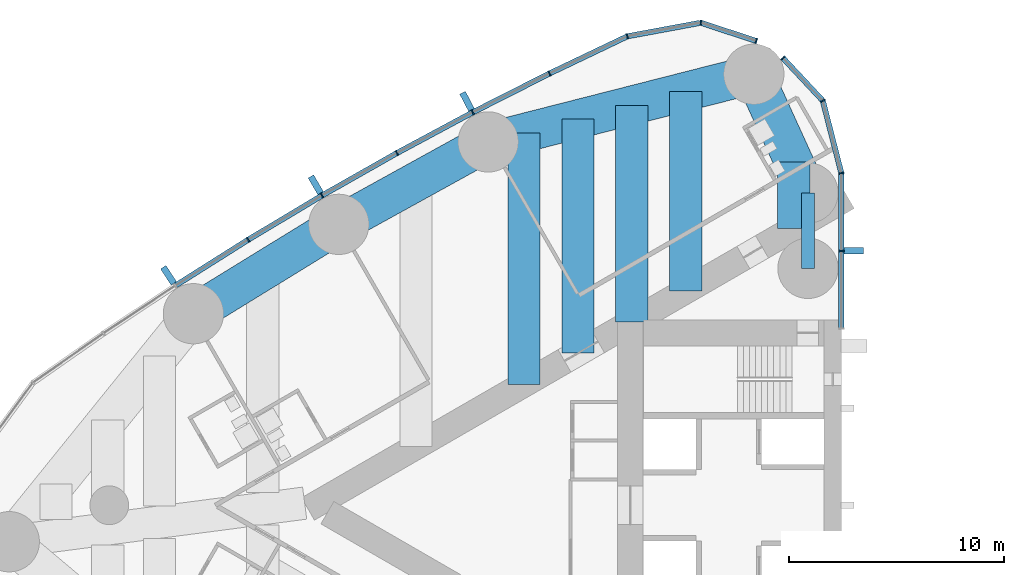
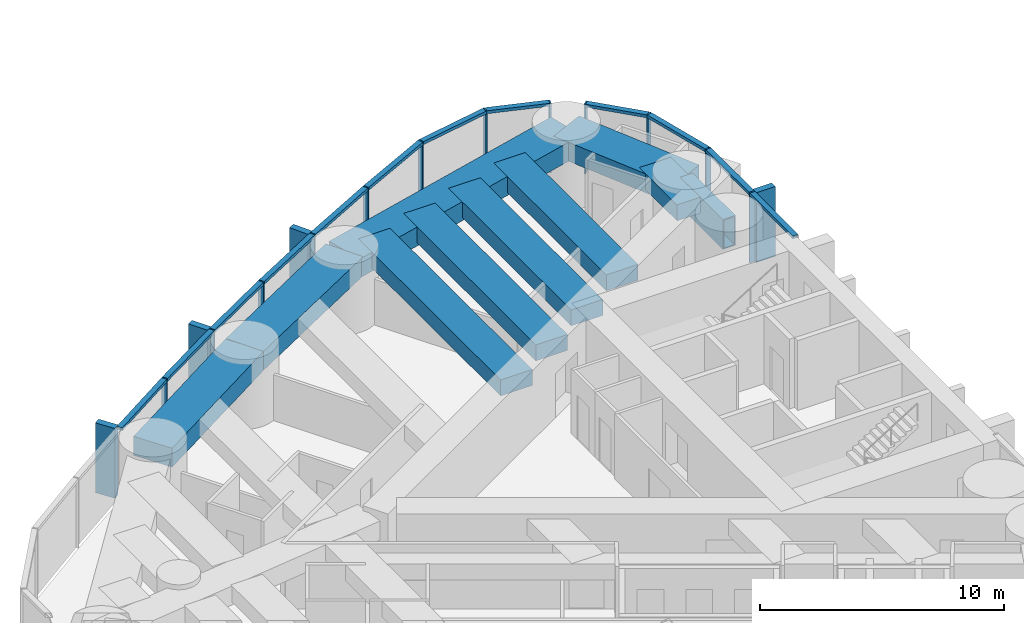
# One storey, part 5 of 19: 28 members, 10 beams, 2 elements without a shape of their own.
"""IFC4 building model written with IfcOpenShell, lengths in metres."""

from ifc_helpers import new_model, si_unit, direction, frame, origin, origin_2d, place, context, subcontext, project, spatial, rectangle, hollow_rectangle, extrude, material, material_profile, profile_set, type_object, element, aggregate, save


model = new_model("IFC4")

# Units and contexts
model_context = context("Model", 3, precision=1e-05, world=origin(), true_north=direction((0.0, 1.0)))
body_context = subcontext(model_context, "Body", "Model", "MODEL_VIEW")
ifc_project = project(units=[si_unit("LENGTHUNIT", "METRE"), si_unit("AREAUNIT", "SQUARE_METRE"), si_unit("VOLUMEUNIT", "CUBIC_METRE"), si_unit("PLANEANGLEUNIT", "RADIAN"), si_unit("MASSUNIT", "GRAM", prefix="KILO")], contexts=[model_context])

# Site, building, storey
site_placement = place(None, origin())
site = spatial("IfcSite", under=ifc_project, at=site_placement, CompositionType="ELEMENT")
building_placement = place(site_placement, origin())
building = spatial("IfcBuilding", under=site, at=building_placement, Name="Lancet Gate Hotel", CompositionType="ELEMENT")
storey_placement = place(building_placement, frame((0.0, 0.0, 159.800048828125)))
storey = spatial("IfcBuildingStorey", under=building, at=storey_placement, Name="L42", CompositionType="ELEMENT", Elevation=159.800048828125)

# Curtain wall, members
ifc_material_1 = material(Name="Aluminium curtain wall", Category="aluminium")
curtain_wall_type = type_object("IfcCurtainWallType", Name="Tower unitised curtain wall", PredefinedType="USERDEFINED", material=ifc_material_1)
curtain_wall_1_placement = place(storey_placement, origin())
curtain_wall_1 = element("IfcCurtainWall", 1, at=curtain_wall_1_placement, inside=storey, type_object=curtain_wall_type, Name="T1 L42 curtain wall 1", ObjectType="UNITISED CURTAIN WALL", PredefinedType="USERDEFINED")
ifc_material_2 = material(Name="Aluminium mullion", Category="aluminium")
ifc_material_profile_1 = material_profile(ifc_material_2, rectangle(XDim=0.06494140625, YDim=0.25, at=origin_2d()), Name="MULLION 65x250")
ifc_profile_set_1 = profile_set([ifc_material_profile_1], Name="Aluminium mullion")
member_type_1 = type_object("IfcMemberType", Name="Aluminium mullion 65x250", PredefinedType="MULLION", material=ifc_profile_set_1)
member_1_placement = place(storey_placement, frame((-27.5, 11.811767578125, 0.0), z_axis=(0.0, 0.0, 1.0), x_axis=(0.0, 1.0, 0.0)))
member_1 = element("IfcMember", 2, at=member_1_placement, type_object=member_type_1, Name="T1 L42 curtain wall 1 mullion 2", PredefinedType="MULLION", context=body_context, shape_type="SweptSolid", body=[
    extrude(rectangle(XDim=0.06494140625, YDim=0.25, at=origin_2d()), origin(), (0.0, 0.0, 1.0), 3.5),
])
member_2_placement = place(storey_placement, frame((-27.5, 15.42333984375, 0.0), z_axis=(0.0, 0.0, 1.0), x_axis=(-0.122467472845, 0.992472527627, 0.0)))
member_2 = element("IfcMember", 3, at=member_2_placement, type_object=member_type_1, Name="T1 L42 curtain wall 1 mullion 3", PredefinedType="MULLION", context=body_context, shape_type="SweptSolid", body=[
    extrude(rectangle(XDim=0.06494140625, YDim=0.25, at=origin_2d()), origin(), (0.0, 0.0, 1.0), 3.5),
])
member_3_placement = place(storey_placement, frame((-28.360595703125, 18.7861328125, 0.0), z_axis=(0.0, 0.0, 1.0), x_axis=(-0.452507601198, 0.891760545695, 0.0)))
member_3 = element("IfcMember", 4, at=member_3_placement, type_object=member_type_1, Name="T1 L42 curtain wall 1 mullion 4", PredefinedType="MULLION", context=body_context, shape_type="SweptSolid", body=[
    extrude(rectangle(XDim=0.06494140625, YDim=0.25, at=origin_2d()), origin(), (0.0, 0.0, 1.0), 3.5),
])
member_4_placement = place(storey_placement, frame((-30.210693359375, 20.765625, 0.0), z_axis=(0.0, 0.0, 1.0), x_axis=(-0.682844962172, 0.730563315282, 0.0)))
member_4 = element("IfcMember", 5, at=member_4_placement, type_object=member_type_1, Name="T1 L42 curtain wall 1 mullion 5", PredefinedType="MULLION", context=body_context, shape_type="SweptSolid", body=[
    extrude(rectangle(XDim=0.06494140625, YDim=0.25, at=origin_2d()), origin(), (0.0, 0.0, 1.0), 3.5),
])

curtain_wall_2_placement = place(storey_placement, origin())
curtain_wall_2 = element("IfcCurtainWall", 6, at=curtain_wall_2_placement, inside=storey, type_object=curtain_wall_type, Name="T1 L42 curtain wall 2", ObjectType="UNITISED CURTAIN WALL", PredefinedType="USERDEFINED")
member_5_placement = place(storey_placement, frame((-31.45263671875, 21.5595703125, 0.0), z_axis=(0.0, 0.0, 1.0), x_axis=(-0.949848055084, 0.312711803827, 0.0)))
member_5 = element("IfcMember", 7, at=member_5_placement, type_object=member_type_1, Name="T1 L42 curtain wall 2 mullion 1", PredefinedType="MULLION", context=body_context, shape_type="SweptSolid", body=[
    extrude(rectangle(XDim=0.06494140625, YDim=0.25, at=origin_2d()), origin(), (0.0, 0.0, 1.0), 3.5),
])
member_6_placement = place(storey_placement, frame((-34.02783203125, 22.407470703125, 0.0), z_axis=(0.0, 0.0, 1.0), x_axis=(-0.999350473622, 0.036036521361, 0.0)))
member_6 = element("IfcMember", 8, at=member_6_placement, type_object=member_type_1, Name="T1 L42 curtain wall 2 mullion 2", PredefinedType="MULLION", context=body_context, shape_type="SweptSolid", body=[
    extrude(rectangle(XDim=0.06494140625, YDim=0.25, at=origin_2d()), origin(), (0.0, 0.0, 1.0), 3.5),
])
member_7_placement = place(storey_placement, frame((-37.44091796875, 21.775634765625, 0.0), z_axis=(0.0, 0.0, 1.0), x_axis=(-0.948119321052, -0.317914694609, 0.0)))
member_7 = element("IfcMember", 9, at=member_7_placement, type_object=member_type_1, Name="T1 L42 curtain wall 2 mullion 3", PredefinedType="MULLION", context=body_context, shape_type="SweptSolid", body=[
    extrude(rectangle(XDim=0.06494140625, YDim=0.25, at=origin_2d()), origin(), (0.0, 0.0, 1.0), 3.5),
])
member_8_placement = place(storey_placement, frame((-41.0498046875, 20.052978515625, 0.0), z_axis=(0.0, 0.0, 1.0), x_axis=(-0.897324392142, -0.441371652088, 0.0)))
member_8 = element("IfcMember", 10, at=member_8_placement, type_object=member_type_1, Name="T1 L42 curtain wall 2 mullion 4", PredefinedType="MULLION", context=body_context, shape_type="SweptSolid", body=[
    extrude(rectangle(XDim=0.06494140625, YDim=0.25, at=origin_2d()), origin(), (0.0, 0.0, 1.0), 3.5),
])
member_9_placement = place(storey_placement, frame((-44.6171875, 18.245849609375, 0.0), z_axis=(0.0, 0.0, 1.0), x_axis=(-0.886694440064, -0.462355891019, 0.0)))
member_9 = element("IfcMember", 11, at=member_9_placement, type_object=member_type_1, Name="T1 L42 curtain wall 2 mullion 5", PredefinedType="MULLION", context=body_context, shape_type="SweptSolid", body=[
    extrude(rectangle(XDim=0.06494140625, YDim=0.25, at=origin_2d()), origin(), (0.0, 0.0, 1.0), 3.5),
])
member_10_placement = place(storey_placement, frame((-48.140869140625, 16.355224609375, 0.0), z_axis=(0.0, 0.0, 1.0), x_axis=(-0.87557384965, -0.483084292654, 0.0)))
member_10 = element("IfcMember", 12, at=member_10_placement, type_object=member_type_1, Name="T1 L42 curtain wall 2 mullion 6", PredefinedType="MULLION", context=body_context, shape_type="SweptSolid", body=[
    extrude(rectangle(XDim=0.06494140625, YDim=0.25, at=origin_2d()), origin(), (0.0, 0.0, 1.0), 3.5),
])
member_11_placement = place(storey_placement, frame((-51.619384765625, 14.38232421875, 0.0), z_axis=(0.0, 0.0, 1.0), x_axis=(-0.863968774311, -0.503545387245, 0.0)))
member_11 = element("IfcMember", 13, at=member_11_placement, type_object=member_type_1, Name="T1 L42 curtain wall 2 mullion 7", PredefinedType="MULLION", context=body_context, shape_type="SweptSolid", body=[
    extrude(rectangle(XDim=0.06494140625, YDim=0.25, at=origin_2d()), origin(), (0.0, 0.0, 1.0), 3.5),
])
member_12_placement = place(storey_placement, frame((-55.05029296875, 12.328369140625, 0.0), z_axis=(0.0, 0.0, 1.0), x_axis=(-0.851885635531, -0.52372785297, 0.0)))
member_12 = element("IfcMember", 14, at=member_12_placement, type_object=member_type_1, Name="T1 L42 curtain wall 2 mullion 8", PredefinedType="MULLION", context=body_context, shape_type="SweptSolid", body=[
    extrude(rectangle(XDim=0.06494140625, YDim=0.25, at=origin_2d()), origin(), (0.0, 0.0, 1.0), 3.5),
])

# Member
ifc_material_3 = material(Name="Aluminium transom", Category="aluminium")
ifc_material_profile_2 = material_profile(ifc_material_3, rectangle(XDim=0.25, YDim=0.14990234375, at=origin_2d()), Name="TRANSOM 250x150")
ifc_profile_set_2 = profile_set([ifc_material_profile_2], Name="Aluminium transom")
member_type_2 = type_object("IfcMemberType", Name="Aluminium transom 250x150", PredefinedType="USERDEFINED", material=ifc_profile_set_2)
member_13_placement = place(storey_placement, frame((-27.5, 8.232421875, 3.425048828125), z_axis=(0.0, 1.0, 0.0), x_axis=(-1.0, 0.0, 0.0)))
member_13 = element("IfcMember", 15, at=member_13_placement, type_object=member_type_2, Name="T1 L42 curtain wall 1 transom 1", ObjectType="TRANSOM", PredefinedType="USERDEFINED", context=body_context, shape_type="SweptSolid", body=[
    extrude(rectangle(XDim=0.25, YDim=0.14990234375, at=origin_2d()), origin(), (0.0, 0.0, 1.0), 3.546875),
])

member_14_placement = place(storey_placement, frame((-27.5, 11.84423828125, 3.425048828125), z_axis=(0.0, 1.0, 0.0), x_axis=(-1.0, 0.0, 0.0)))
member_14 = element("IfcMember", 16, at=member_14_placement, type_object=member_type_2, Name="T1 L42 curtain wall 1 transom 2", ObjectType="TRANSOM", PredefinedType="USERDEFINED", context=body_context, shape_type="SweptSolid", body=[
    extrude(rectangle(XDim=0.25, YDim=0.14990234375, at=origin_2d()), origin(), (0.0, 0.0, 1.0), 3.546630859375),
])

member_15_placement = place(storey_placement, frame((-27.508056640625, 15.454833984375, 3.425048828125), z_axis=(-0.247928683912, 0.968778286139, 0.0), x_axis=(-0.968778286139, -0.247928683912, 0.0)))
member_15 = element("IfcMember", 17, at=member_15_placement, type_object=member_type_2, Name="T1 L42 curtain wall 1 transom 3", ObjectType="TRANSOM", PredefinedType="USERDEFINED", context=body_context, shape_type="SweptSolid", body=[
    extrude(rectangle(XDim=0.25, YDim=0.14990234375, at=origin_2d()), origin(), (0.0, 0.0, 1.0), 3.40625),
])

member_16_placement = place(storey_placement, frame((-28.3828125, 18.809814453125, 3.425048828125), z_axis=(-0.682841037959, 0.730566983157, 0.0), x_axis=(-0.730566983157, -0.682841037959, 0.0)))
member_16 = element("IfcMember", 18, at=member_16_placement, type_object=member_type_2, Name="T1 L42 curtain wall 1 transom 4", ObjectType="TRANSOM", PredefinedType="USERDEFINED", context=body_context, shape_type="SweptSolid", body=[
    extrude(rectangle(XDim=0.25, YDim=0.14990234375, at=origin_2d()), origin(), (0.0, 0.0, 1.0), 2.644775390625),
])

member_17_placement = place(storey_placement, frame((-31.483642578125, 21.56982421875, 3.425048828125), z_axis=(-0.949857661259, 0.312682623993, 0.0), x_axis=(-0.312682623993, -0.949857661259, 0.0)))
member_17 = element("IfcMember", 19, at=member_17_placement, type_object=member_type_2, Name="T1 L42 curtain wall 2 transom 1", ObjectType="TRANSOM", PredefinedType="USERDEFINED", context=body_context, shape_type="SweptSolid", body=[
    extrude(rectangle(XDim=0.25, YDim=0.14990234375, at=origin_2d()), origin(), (0.0, 0.0, 1.0), 2.64599609375),
])

member_18_placement = place(storey_placement, frame((-34.059814453125, 22.401611328125, 3.425048828125), z_axis=(-0.983286757871, -0.182063592724, 0.0), x_axis=(0.182063592724, -0.983286757871, 0.0)))
member_18 = element("IfcMember", 20, at=member_18_placement, type_object=member_type_2, Name="T1 L42 curtain wall 2 transom 2", ObjectType="TRANSOM", PredefinedType="USERDEFINED", context=body_context, shape_type="SweptSolid", body=[
    extrude(rectangle(XDim=0.25, YDim=0.14990234375, at=origin_2d()), origin(), (0.0, 0.0, 1.0), 3.406005859375),
])

member_19_placement = place(storey_placement, frame((-37.47021484375, 21.761474609375, 3.425048828125), z_axis=(-0.902468975385, -0.430754858902, 0.0), x_axis=(0.430754858902, -0.902468975385, 0.0)))
member_19 = element("IfcMember", 21, at=member_19_placement, type_object=member_type_2, Name="T1 L42 curtain wall 2 transom 3", ObjectType="TRANSOM", PredefinedType="USERDEFINED", context=body_context, shape_type="SweptSolid", body=[
    extrude(rectangle(XDim=0.25, YDim=0.14990234375, at=origin_2d()), origin(), (0.0, 0.0, 1.0), 3.93408203125),
])

member_20_placement = place(storey_placement, frame((-41.078857421875, 20.0380859375, 3.425048828125), z_axis=(-0.892081477453, -0.451874581699, 0.0), x_axis=(0.451874581699, -0.892081477453, 0.0)))
member_20 = element("IfcMember", 22, at=member_20_placement, type_object=member_type_2, Name="T1 L42 curtain wall 2 transom 4", ObjectType="TRANSOM", PredefinedType="USERDEFINED", context=body_context, shape_type="SweptSolid", body=[
    extrude(rectangle(XDim=0.25, YDim=0.14990234375, at=origin_2d()), origin(), (0.0, 0.0, 1.0), 3.933837890625),
])

member_21_placement = place(storey_placement, frame((-44.645751953125, 18.23046875, 3.425048828125), z_axis=(-0.881185491994, -0.472770693571, 0.0), x_axis=(0.472770693571, -0.881185491994, 0.0)))
member_21 = element("IfcMember", 23, at=member_21_placement, type_object=member_type_2, Name="T1 L42 curtain wall 2 transom 5", ObjectType="TRANSOM", PredefinedType="USERDEFINED", context=body_context, shape_type="SweptSolid", body=[
    extrude(rectangle(XDim=0.25, YDim=0.14990234375, at=origin_2d()), origin(), (0.0, 0.0, 1.0), 3.93408203125),
])

member_22_placement = place(storey_placement, frame((-48.169189453125, 16.33935546875, 3.425048828125), z_axis=(-0.869819807367, -0.493369539709, 0.0), x_axis=(0.493369539709, -0.869819807367, 0.0)))
member_22 = element("IfcMember", 24, at=member_22_placement, type_object=member_type_2, Name="T1 L42 curtain wall 2 transom 6", ObjectType="TRANSOM", PredefinedType="USERDEFINED", context=body_context, shape_type="SweptSolid", body=[
    extrude(rectangle(XDim=0.25, YDim=0.14990234375, at=origin_2d()), origin(), (0.0, 0.0, 1.0), 3.93408203125),
])

member_23_placement = place(storey_placement, frame((-51.647216796875, 14.36572265625, 3.425048828125), z_axis=(-0.857985365092, -0.513674131419, 0.0), x_axis=(0.513674131419, -0.857985365092, 0.0)))
member_23 = element("IfcMember", 25, at=member_23_placement, type_object=member_type_2, Name="T1 L42 curtain wall 2 transom 7", ObjectType="TRANSOM", PredefinedType="USERDEFINED", context=body_context, shape_type="SweptSolid", body=[
    extrude(rectangle(XDim=0.25, YDim=0.14990234375, at=origin_2d()), origin(), (0.0, 0.0, 1.0), 3.933837890625),
])

member_24_placement = place(storey_placement, frame((-55.077880859375, 12.31103515625, 3.425048828125), z_axis=(-0.845671711095, -0.53370343549, 0.0), x_axis=(0.53370343549, -0.845671711095, 0.0)))
member_24 = element("IfcMember", 26, at=member_24_placement, type_object=member_type_2, Name="T1 L42 curtain wall 2 transom 8", ObjectType="TRANSOM", PredefinedType="USERDEFINED", context=body_context, shape_type="SweptSolid", body=[
    extrude(rectangle(XDim=0.25, YDim=0.14990234375, at=origin_2d()), origin(), (0.0, 0.0, 1.0), 3.93408203125),
])

# Beams
ifc_material_4 = material(Name="Concrete C50/60", Category="concrete")
ifc_material_profile_3 = material_profile(ifc_material_4, rectangle(XDim=1.800048828125, YDim=0.949951171875, at=origin_2d()), Name="RC 1800x950")
ifc_profile_set_3 = profile_set([ifc_material_profile_3], Name="Concrete C50/60")
beam_type_1 = type_object("IfcBeamType", Name="Edge beam RC 1800x950", PredefinedType="SPANDREL", material=ifc_profile_set_3)
beam_1_placement = place(storey_placement, frame((-31.5654296875, 20.015869140625, 2.77490234375), z_axis=(-0.969008414312, -0.247027717052, 0.0), x_axis=(0.247027717052, -0.969008414312, 0.0)))
element("IfcBeam", 27, at=beam_1_placement, inside=storey, type_object=beam_type_1, Name="T1 edge beam EB1 L42", PredefinedType="SPANDREL", context=body_context, shape_type="SweptSolid", body=[
    extrude(rectangle(XDim=1.800048828125, YDim=0.949951171875, at=origin_2d()), origin(), (0.0, 0.0, 1.0), 12.7294921875),
])
beam_2_placement = place(storey_placement, frame((-43.900390625, 16.871337890625, 2.77490234375), z_axis=(-0.875577684027, -0.483077342911, 0.0), x_axis=(0.483077342911, -0.875577684027, 0.0)))
element("IfcBeam", 28, at=beam_2_placement, inside=storey, type_object=beam_type_1, Name="T1 edge beam EB1 L42", PredefinedType="SPANDREL", context=body_context, shape_type="SweptSolid", body=[
    extrude(rectangle(XDim=1.800048828125, YDim=0.949951171875, at=origin_2d()), origin(), (0.0, 0.0, 1.0), 7.924560546875),
])
beam_3_placement = place(storey_placement, frame((-50.8388671875, 13.043212890625, 2.77490234375), z_axis=(-0.851892008043, -0.523717487423, 0.0), x_axis=(0.523717487423, -0.851892008043, 0.0)))
element("IfcBeam", 29, at=beam_3_placement, inside=storey, type_object=beam_type_1, Name="T1 edge beam EB1 L42", PredefinedType="SPANDREL", context=body_context, shape_type="SweptSolid", body=[
    extrude(rectangle(XDim=1.800048828125, YDim=0.949951171875, at=origin_2d()), origin(), (0.0, 0.0, 1.0), 7.92431640625),
])
beam_4_placement = place(storey_placement, frame((-31.5654296875, 20.015869140625, 2.77490234375), z_axis=(0.414919206993, -0.909858259109, 0.0), x_axis=(0.909858259109, 0.414919206993, 0.0)))
element("IfcBeam", 30, at=beam_4_placement, inside=storey, type_object=beam_type_1, Name="T1 edge beam EB1 L42", PredefinedType="SPANDREL", context=body_context, shape_type="SweptSolid", body=[
    extrude(rectangle(XDim=1.800048828125, YDim=0.949951171875, at=origin_2d()), origin(), (0.0, 0.0, 1.0), 6.062255859375),
])

# Member
ifc_material_5 = material(Name="Precast concrete C50/60", Category="concrete")
ifc_material_profile_4 = material_profile(ifc_material_5, rectangle(XDim=0.300048828125, YDim=0.89990234375, at=origin_2d()), Name="FIN 300x900")
ifc_profile_set_4 = profile_set([ifc_material_profile_4], Name="Precast concrete C50/60")
member_type_3 = type_object("IfcMemberType", Name="Exposed concrete fin 300x900", PredefinedType="USERDEFINED", material=ifc_profile_set_4)
member_25_placement = place(storey_placement, frame((-26.925048828125, 11.811767578125, 0.0), z_axis=(0.0, 0.0, 1.0), x_axis=(0.0, 1.0, 0.0)))
member_25 = element("IfcMember", 31, at=member_25_placement, type_object=member_type_3, Name="T1 L42 curtain wall 1 fin 2", ObjectType="FIN", PredefinedType="USERDEFINED", context=body_context, shape_type="SweptSolid", body=[
    extrude(rectangle(XDim=0.300048828125, YDim=0.89990234375, at=origin_2d()), origin(), (0.0, 0.0, 1.0), 3.5),
])

aggregate(curtain_wall_1, [member_1, member_25, member_2, member_3, member_4, member_13, member_14, member_15, member_16])

member_26_placement = place(storey_placement, frame((-44.883056640625, 18.755615234375, 0.0), z_axis=(0.0, 0.0, 1.0), x_axis=(-0.886694440064, -0.462355891019, 0.0)))
member_26 = element("IfcMember", 32, at=member_26_placement, type_object=member_type_3, Name="T1 L42 curtain wall 2 fin 5", ObjectType="FIN", PredefinedType="USERDEFINED", context=body_context, shape_type="SweptSolid", body=[
    extrude(rectangle(XDim=0.300048828125, YDim=0.89990234375, at=origin_2d()), origin(), (0.0, 0.0, 1.0), 3.5),
])

member_27_placement = place(storey_placement, frame((-51.908935546875, 14.879150390625, 0.0), z_axis=(0.0, 0.0, 1.0), x_axis=(-0.863968774311, -0.503545387245, 0.0)))
member_27 = element("IfcMember", 33, at=member_27_placement, type_object=member_type_3, Name="T1 L42 curtain wall 2 fin 7", ObjectType="FIN", PredefinedType="USERDEFINED", context=body_context, shape_type="SweptSolid", body=[
    extrude(rectangle(XDim=0.300048828125, YDim=0.89990234375, at=origin_2d()), origin(), (0.0, 0.0, 1.0), 3.5),
])

member_28_placement = place(storey_placement, frame((-58.74462890625, 10.6767578125, 0.0), z_axis=(0.0, 0.0, 1.0), x_axis=(-0.839331119324, -0.54362052218, 0.0)))
member_28 = element("IfcMember", 34, at=member_28_placement, type_object=member_type_3, Name="T1 L42 curtain wall 2 fin 9", ObjectType="FIN", PredefinedType="USERDEFINED", context=body_context, shape_type="SweptSolid", body=[
    extrude(rectangle(XDim=0.300048828125, YDim=0.89990234375, at=origin_2d()), origin(), (0.0, 0.0, 1.0), 3.5),
])

aggregate(curtain_wall_2, [member_5, member_6, member_7, member_8, member_9, member_26, member_10, member_11, member_27, member_12, member_28, member_17, member_18, member_19, member_20, member_21, member_22, member_23, member_24])

# Beams
ifc_material_6 = material(Name="Concrete C50/60", Category="concrete")
ifc_material_profile_5 = material_profile(ifc_material_6, rectangle(XDim=1.5, YDim=0.800048828125, at=origin_2d()), Name="RC 1500x800")
ifc_profile_set_5 = profile_set([ifc_material_profile_5], Name="Concrete C50/60")
beam_type_2 = type_object("IfcBeamType", Name="Floor beam RC 1500x800", PredefinedType="BEAM", material=ifc_profile_set_5)
beam_5_placement = place(storey_placement, frame((-29.706787109375, 15.940185546875, 2.849853515625), z_axis=(0.0, -1.0, 0.0), x_axis=(1.0, 0.0, 0.0)))
element("IfcBeam", 35, at=beam_5_placement, inside=storey, type_object=beam_type_2, Name="T1 floor beam F01S L42", PredefinedType="BEAM", context=body_context, shape_type="SweptSolid", body=[
    extrude(rectangle(XDim=1.5, YDim=0.800048828125, at=origin_2d()), origin(), (0.0, 0.0, 1.0), 3.087646484375),
])
beam_6_placement = place(storey_placement, frame((-34.720458984375, 19.211669921875, 2.849853515625), z_axis=(0.0, -1.0, 0.0), x_axis=(1.0, 0.0, 0.0)))
element("IfcBeam", 36, at=beam_6_placement, inside=storey, type_object=beam_type_2, Name="T1 floor beam F03S L42", PredefinedType="BEAM", context=body_context, shape_type="SweptSolid", body=[
    extrude(rectangle(XDim=1.5, YDim=0.800048828125, at=origin_2d()), origin(), (0.0, 0.0, 1.0), 9.253662109375),
])
beam_7_placement = place(storey_placement, frame((-37.227294921875, 18.572509765625, 2.849853515625), z_axis=(0.0, -1.0, 0.0), x_axis=(1.0, 0.0, 0.0)))
element("IfcBeam", 37, at=beam_7_placement, inside=storey, type_object=beam_type_2, Name="T1 floor beam F04S L42", PredefinedType="BEAM", context=body_context, shape_type="SweptSolid", body=[
    extrude(rectangle(XDim=1.5, YDim=0.800048828125, at=origin_2d()), origin(), (0.0, 0.0, 1.0), 10.061767578125),
])
beam_8_placement = place(storey_placement, frame((-39.734130859375, 17.93359375, 2.849853515625), z_axis=(0.0, -1.0, 0.0), x_axis=(1.0, 0.0, 0.0)))
element("IfcBeam", 38, at=beam_8_placement, inside=storey, type_object=beam_type_2, Name="T1 floor beam F06S L42", PredefinedType="BEAM", context=body_context, shape_type="SweptSolid", body=[
    extrude(rectangle(XDim=1.5, YDim=0.800048828125, at=origin_2d()), origin(), (0.0, 0.0, 1.0), 10.8701171875),
])
beam_9_placement = place(storey_placement, frame((-42.240966796875, 17.29443359375, 2.849853515625), z_axis=(0.0, -1.0, 0.0), x_axis=(1.0, 0.0, 0.0)))
element("IfcBeam", 39, at=beam_9_placement, inside=storey, type_object=beam_type_2, Name="T1 floor beam F07S L42", PredefinedType="BEAM", context=body_context, shape_type="SweptSolid", body=[
    extrude(rectangle(XDim=1.5, YDim=0.800048828125, at=origin_2d()), origin(), (0.0, 0.0, 1.0), 11.678466796875),
])
ifc_material_7 = material(Name="Steel S460QL", Category="steel")
ifc_material_profile_6 = material_profile(ifc_material_7, hollow_rectangle(XDim=0.60009765625, YDim=1.5, WallThickness=0.050048828125, at=origin_2d()), Name="BOX 1500x600x50")
ifc_profile_set_6 = profile_set([ifc_material_profile_6], Name="Steel S460QL")
beam_type_3 = type_object("IfcBeamType", Name="Inner-face link beam BOX 1500x600x50", PredefinedType="BEAM", material=ifc_profile_set_6)
beam_10_placement = place(storey_placement, frame((-29.050048828125, 14.5, 2.5), z_axis=(0.0, -1.0, 0.0), x_axis=(1.0, 0.0, 0.0)))
element("IfcBeam", 40, at=beam_10_placement, inside=storey, type_object=beam_type_3, Name="T1 inner-face link beam LK1 L42", PredefinedType="BEAM", context=body_context, shape_type="SweptSolid", body=[
    extrude(hollow_rectangle(XDim=0.60009765625, YDim=1.5, WallThickness=0.050048828125, at=origin_2d()), origin(), (0.0, 0.0, 1.0), 3.5),
])

save(model, "model.ifc")
